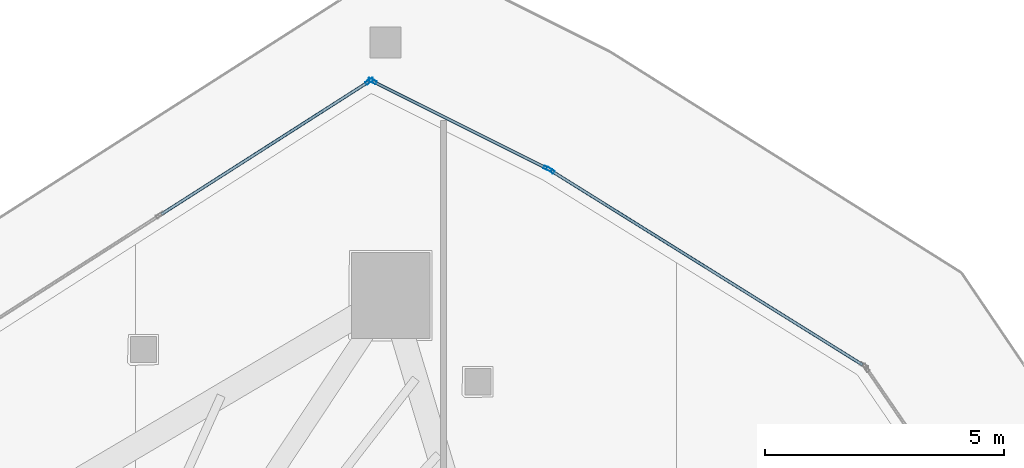
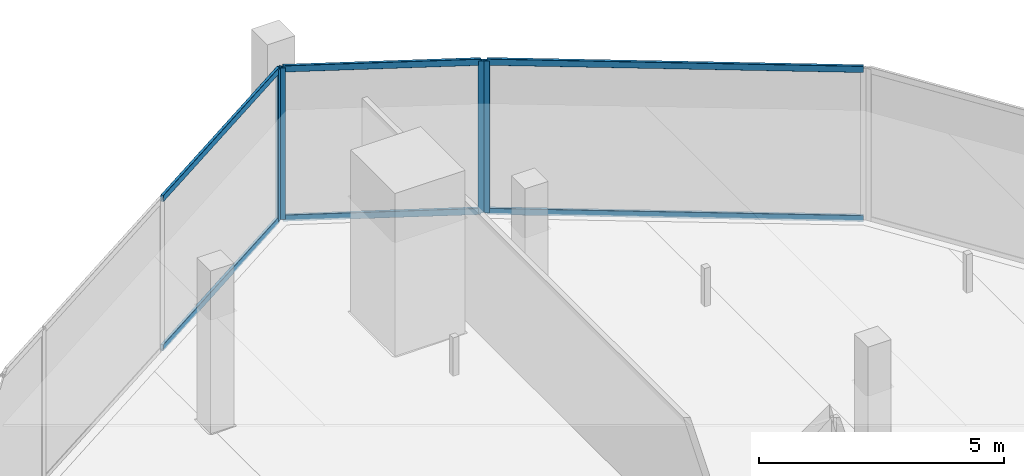
# One storey, part 22 of 33: 10 members, 3 elements without a shape of their own.
"""IFC4 building model written with IfcOpenShell, lengths in metres."""

from ifc_helpers import new_model, si_unit, direction, frame, origin, origin_2d, place, context, subcontext, project, spatial, hollow_rectangle, extrude, material, layer, layer_set, material_profile, profile_set, type_object, element, aggregate, save


model = new_model("IFC4")

# Units and contexts
model_context = context("Model", 3, precision=1e-05, world=origin(), true_north=direction((0.0, 1.0)))
body_context = subcontext(model_context, "Body", "Model", "MODEL_VIEW")
ifc_project = project(units=[si_unit("LENGTHUNIT", "METRE"), si_unit("AREAUNIT", "SQUARE_METRE"), si_unit("VOLUMEUNIT", "CUBIC_METRE"), si_unit("PLANEANGLEUNIT", "RADIAN"), si_unit("MASSUNIT", "GRAM", prefix="KILO")], contexts=[model_context])

# Site, building, storey
site_placement = place(None, origin())
site = spatial("IfcSite", under=ifc_project, at=site_placement, CompositionType="ELEMENT")
building_placement = place(site_placement, origin())
building = spatial("IfcBuilding", under=site, at=building_placement, Name="Qorvath Tower", CompositionType="ELEMENT")
storey_placement = place(building_placement, frame((0.0, 0.0, 221.25)))
storey = spatial("IfcBuildingStorey", under=building, at=storey_placement, Name="L51", CompositionType="ELEMENT", Elevation=221.25)

# Curtain wall, member
ifc_material_1 = material(Name="Anodised aluminium and triple low-E glass", Category="aluminium")
ifc_layer = layer(ifc_material_1, 0.179931640625)
ifc_layer_set = layer_set([ifc_layer], Name="CW-SYS-3")
curtain_wall_type = type_object("IfcCurtainWallType", Name="CW-SYS-3", PredefinedType="NOTDEFINED", material=ifc_layer_set)
curtain_wall_1_placement = place(storey_placement, origin())
curtain_wall_1 = element("IfcCurtainWall", 1, at=curtain_wall_1_placement, inside=storey, type_object=curtain_wall_type, Name="Curtain Wall CW-3 CW-T-L51-14.1", PredefinedType="NOTDEFINED")
ifc_material_2 = material(Name="Anodised aluminium 6063-T6", Category="aluminium")
ifc_material_profile_1 = material_profile(ifc_material_2, hollow_rectangle(XDim=0.06494140625, YDim=0.179931640625, WallThickness=0.00341796875, InnerFilletRadius=0.00341796875, OuterFilletRadius=0.007080078125, at=origin_2d()), Name="CWM 180x65")
ifc_profile_set_1 = profile_set([ifc_material_profile_1], Name="Anodised aluminium 6063-T6")
member_type_1 = type_object("IfcMemberType", Name="CWM-180", PredefinedType="MULLION", material=ifc_profile_set_1)
member_1_placement = place(storey_placement, frame((-13.52734375, 24.25048828125, 0.0), z_axis=(0.0, 0.0, 1.0), x_axis=(-0.528981931327, -0.848633086987, 0.0)))
member_1 = element("IfcMember", 2, at=member_1_placement, type_object=member_type_1, Name="CW-3 mullion 2", PredefinedType="MULLION", context=body_context, shape_type="SweptSolid", body=[
    extrude(hollow_rectangle(XDim=0.06494140625, YDim=0.179931640625, WallThickness=0.00341796875, InnerFilletRadius=0.00341796875, OuterFilletRadius=0.007080078125, at=origin_2d()), origin(), (0.0, 0.0, 1.0), 3.780029296875),
])

# Curtain wall, members
curtain_wall_2_placement = place(storey_placement, origin())
curtain_wall_2 = element("IfcCurtainWall", 3, at=curtain_wall_2_placement, inside=storey, type_object=curtain_wall_type, Name="Curtain Wall CW-3 CW-T-L51-15.1", PredefinedType="NOTDEFINED")
member_2_placement = place(storey_placement, frame((-13.583984375, 24.2822265625, 0.0), z_axis=(0.0, 0.0, 1.0), x_axis=(-0.447223177633, -0.894422399869, 0.0)))
member_2 = element("IfcMember", 4, at=member_2_placement, type_object=member_type_1, Name="CW-3 mullion 1", PredefinedType="MULLION", context=body_context, shape_type="SweptSolid", body=[
    extrude(hollow_rectangle(XDim=0.06494140625, YDim=0.179931640625, WallThickness=0.00341796875, InnerFilletRadius=0.00341796875, OuterFilletRadius=0.007080078125, at=origin_2d()), origin(), (0.0, 0.0, 1.0), 3.780029296875),
])
member_3_placement = place(storey_placement, frame((-17.259521484375, 26.119873046875, 0.0), z_axis=(0.0, 0.0, 1.0), x_axis=(-0.447223177633, -0.894422399869, 0.0)))
member_3 = element("IfcMember", 5, at=member_3_placement, type_object=member_type_1, Name="CW-3 mullion 2", PredefinedType="MULLION", context=body_context, shape_type="SweptSolid", body=[
    extrude(hollow_rectangle(XDim=0.06494140625, YDim=0.179931640625, WallThickness=0.00341796875, InnerFilletRadius=0.00341796875, OuterFilletRadius=0.007080078125, at=origin_2d()), origin(), (0.0, 0.0, 1.0), 3.780029296875),
])

# Curtain wall, member
curtain_wall_3_placement = place(storey_placement, origin())
curtain_wall_3 = element("IfcCurtainWall", 6, at=curtain_wall_3_placement, inside=storey, type_object=curtain_wall_type, Name="Curtain Wall CW-3 CW-T-L51-16.1", PredefinedType="NOTDEFINED")
member_4_placement = place(storey_placement, frame((-17.31591796875, 26.116943359375, 0.0), z_axis=(0.0, 0.0, 1.0), x_axis=(0.538534785809, -0.842603278224, 0.0)))
member_4 = element("IfcMember", 7, at=member_4_placement, type_object=member_type_1, Name="CW-3 mullion 1", PredefinedType="MULLION", context=body_context, shape_type="SweptSolid", body=[
    extrude(hollow_rectangle(XDim=0.06494140625, YDim=0.179931640625, WallThickness=0.00341796875, InnerFilletRadius=0.00341796875, OuterFilletRadius=0.007080078125, at=origin_2d()), origin(), (0.0, 0.0, 1.0), 3.780029296875),
])

# Member
ifc_material_3 = material(Name="Anodised aluminium 6063-T6", Category="aluminium")
ifc_material_profile_2 = material_profile(ifc_material_3, hollow_rectangle(XDim=0.06494140625, YDim=0.159912109375, WallThickness=0.00341796875, InnerFilletRadius=0.00341796875, OuterFilletRadius=0.007080078125, at=origin_2d()), Name="CWT 160x65")
ifc_profile_set_2 = profile_set([ifc_material_profile_2], Name="Anodised aluminium 6063-T6")
member_type_2 = type_object("IfcMemberType", Name="CWT-160", PredefinedType="USERDEFINED", material=ifc_profile_set_2)
member_5_placement = place(storey_placement, frame((-6.984619140625, 20.172119140625, 0.032470703125), z_axis=(-0.848637276505, 0.528975210125, 0.0), x_axis=(-0.528975210125, -0.848637276505, 0.0)))
member_5 = element("IfcMember", 8, at=member_5_placement, type_object=member_type_2, Name="CW-3 transom 1.1", ObjectType="TRANSOM", PredefinedType="USERDEFINED", context=body_context, shape_type="SweptSolid", body=[
    extrude(hollow_rectangle(XDim=0.06494140625, YDim=0.159912109375, WallThickness=0.00341796875, InnerFilletRadius=0.00341796875, OuterFilletRadius=0.007080078125, at=origin_2d()), origin(), (0.0, 0.0, 1.0), 7.67724609375),
])

member_6_placement = place(storey_placement, frame((-6.984619140625, 20.172119140625, 3.74755859375), z_axis=(-0.848637276505, 0.528975210125, 0.0), x_axis=(-0.528975210125, -0.848637276505, 0.0)))
member_6 = element("IfcMember", 9, at=member_6_placement, type_object=member_type_2, Name="CW-3 transom 1.2", ObjectType="TRANSOM", PredefinedType="USERDEFINED", context=body_context, shape_type="SweptSolid", body=[
    extrude(hollow_rectangle(XDim=0.06494140625, YDim=0.159912109375, WallThickness=0.00341796875, InnerFilletRadius=0.00341796875, OuterFilletRadius=0.007080078125, at=origin_2d()), origin(), (0.0, 0.0, 1.0), 7.67724609375),
])

aggregate(curtain_wall_1, [member_1, member_5, member_6])

member_7_placement = place(storey_placement, frame((-13.613037109375, 24.296630859375, 0.032470703125), z_axis=(-0.894415117851, 0.447237740984, 0.0), x_axis=(-0.447237740984, -0.894415117851, 0.0)))
member_7 = element("IfcMember", 10, at=member_7_placement, type_object=member_type_2, Name="CW-3 transom 1.1", ObjectType="TRANSOM", PredefinedType="USERDEFINED", context=body_context, shape_type="SweptSolid", body=[
    extrude(hollow_rectangle(XDim=0.06494140625, YDim=0.159912109375, WallThickness=0.00341796875, InnerFilletRadius=0.00341796875, OuterFilletRadius=0.007080078125, at=origin_2d()), origin(), (0.0, 0.0, 1.0), 4.04443359375),
])

member_8_placement = place(storey_placement, frame((-13.613037109375, 24.296630859375, 3.74755859375), z_axis=(-0.894415117851, 0.447237740984, 0.0), x_axis=(-0.447237740984, -0.894415117851, 0.0)))
member_8 = element("IfcMember", 11, at=member_8_placement, type_object=member_type_2, Name="CW-3 transom 1.2", ObjectType="TRANSOM", PredefinedType="USERDEFINED", context=body_context, shape_type="SweptSolid", body=[
    extrude(hollow_rectangle(XDim=0.06494140625, YDim=0.159912109375, WallThickness=0.00341796875, InnerFilletRadius=0.00341796875, OuterFilletRadius=0.007080078125, at=origin_2d()), origin(), (0.0, 0.0, 1.0), 4.04443359375),
])

aggregate(curtain_wall_2, [member_2, member_3, member_7, member_8])

member_9_placement = place(storey_placement, frame((-17.34326171875, 26.099609375, 0.032470703125), z_axis=(-0.842590987115, -0.538554016263, 0.0), x_axis=(0.538554016263, -0.842590987115, 0.0)))
member_9 = element("IfcMember", 12, at=member_9_placement, type_object=member_type_2, Name="CW-3 transom 1.1", ObjectType="TRANSOM", PredefinedType="USERDEFINED", context=body_context, shape_type="SweptSolid", body=[
    extrude(hollow_rectangle(XDim=0.06494140625, YDim=0.159912109375, WallThickness=0.00341796875, InnerFilletRadius=0.00341796875, OuterFilletRadius=0.007080078125, at=origin_2d()), origin(), (0.0, 0.0, 1.0), 5.144775390625),
])

member_10_placement = place(storey_placement, frame((-17.34326171875, 26.099609375, 3.74755859375), z_axis=(-0.842590987115, -0.538554016263, 0.0), x_axis=(0.538554016263, -0.842590987115, 0.0)))
member_10 = element("IfcMember", 13, at=member_10_placement, type_object=member_type_2, Name="CW-3 transom 1.2", ObjectType="TRANSOM", PredefinedType="USERDEFINED", context=body_context, shape_type="SweptSolid", body=[
    extrude(hollow_rectangle(XDim=0.06494140625, YDim=0.159912109375, WallThickness=0.00341796875, InnerFilletRadius=0.00341796875, OuterFilletRadius=0.007080078125, at=origin_2d()), origin(), (0.0, 0.0, 1.0), 5.144775390625),
])

aggregate(curtain_wall_3, [member_4, member_9, member_10])

save(model, "model.ifc")
